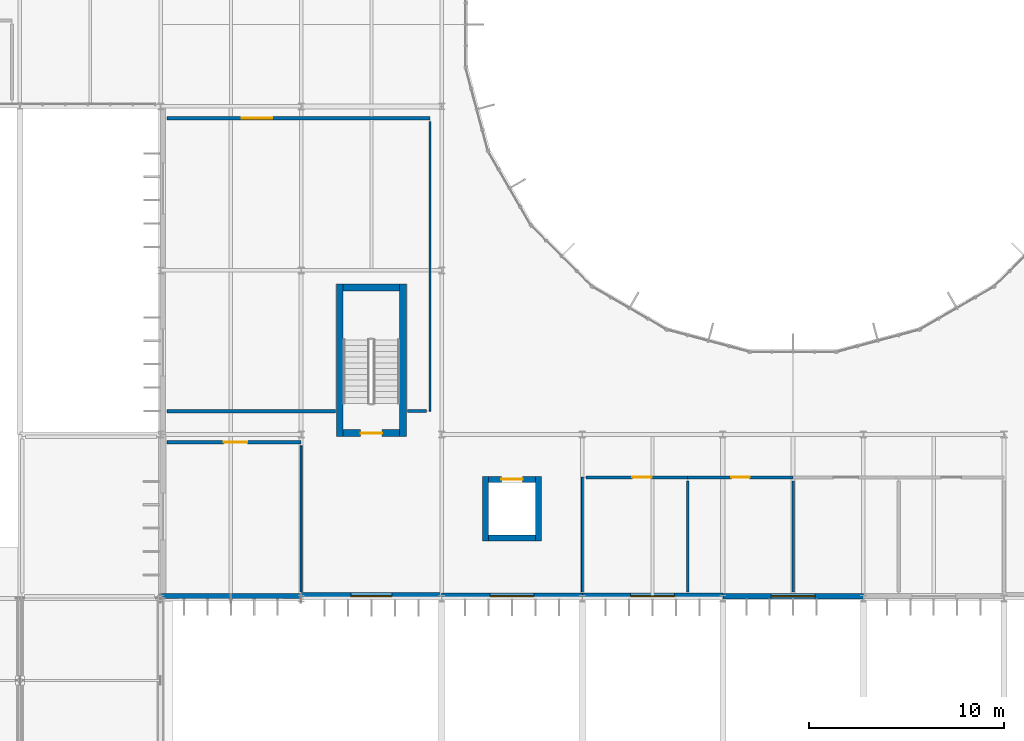
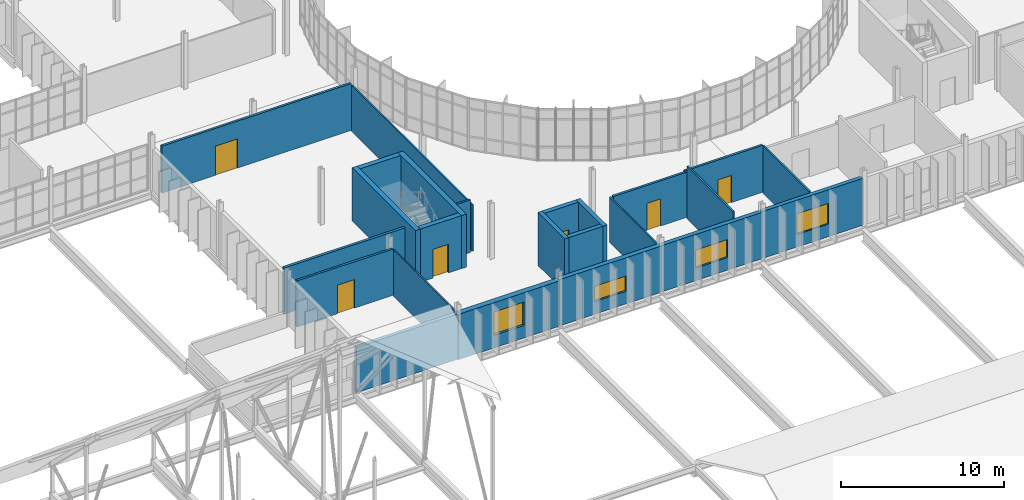
# One storey, part 78 of 99: 24 walls, 6 doors, 4 windows, 10 openings.
"""IFC4 building model written with IfcOpenShell, lengths in metres."""

import ifcopenshell
import ifcopenshell.guid

model = None  # the IFC model being written
_history = None  # IfcOwnerHistory: only IFC2X3 demands one
_inside = {}  # id of a spatial element -> (the spatial element, [elements in it])
_under = {}  # id of a project, library or spatial element -> (it, [spatial elements below it])
_declared = {}  # id of a project -> (the project, [libraries it declares])
_typed = {}  # id of a type object -> (the type object, [elements of that type])
_made_of = {}  # id of a material, layer set ... -> (it, [elements and type objects made of it])


def new_model(schema):
    """Start an empty IFC model of exactly this schema.

    Asked for "IFC4X3", IfcOpenShell would pick the latest addendum, in which some entities
    have other attributes; the version numbers below select the first issue.
    IFC2X3 requires an IfcOwnerHistory on every rooted entity: one is made here for all.
    """
    global model, _history
    if schema == "IFC4X3":
        model = ifcopenshell.file(schema_version=(4, 3, 0, 0))
    else:
        model = ifcopenshell.file(schema=schema)
    _inside.clear()
    _under.clear()
    _declared.clear()
    _typed.clear()
    _made_of.clear()
    _history = None
    if model.schema == "IFC2X3":
        org = make("IfcOrganization", Name="unknown")
        user = make(
            "IfcPersonAndOrganization",
            ThePerson=make("IfcPerson", FamilyName="unknown"),
            TheOrganization=org,
        )
        app = make(
            "IfcApplication",
            ApplicationDeveloper=org,
            Version="unknown",
            ApplicationFullName="unknown",
            ApplicationIdentifier="unknown",
        )
        _history = make(
            "IfcOwnerHistory",
            OwningUser=user,
            OwningApplication=app,
            ChangeAction="ADDED",
            CreationDate=0,
        )
    return model


def make(cls, **values):
    """One entity of the class cls with the attributes given. An attribute that is None is left unset."""
    return model.create_entity(
        cls, **{name: value for name, value in values.items() if value is not None}
    )


def rooted(cls, **values):
    """An entity with a GlobalId (a new one), such as an element, a storey or a relation."""
    return make(cls, GlobalId=ifcopenshell.guid.new(), OwnerHistory=_history, **values)


def si_unit(unit_type, name, prefix=None):
    """IfcSIUnit, for example si_unit("LENGTHUNIT", "METRE", prefix="MILLI")."""
    return make("IfcSIUnit", UnitType=unit_type, Prefix=prefix, Name=name)


def assignment(units):
    """IfcUnitAssignment: the units of a project."""
    return None if units is None else make("IfcUnitAssignment", Units=units)


def point(xyz):
    """IfcCartesianPoint."""
    return None if xyz is None else make("IfcCartesianPoint", Coordinates=xyz)


def direction(xyz):
    """IfcDirection."""
    return None if xyz is None else make("IfcDirection", DirectionRatios=xyz)


def frame(location, z_axis=None, x_axis=None):
    """IfcAxis2Placement3D, a coordinate frame: its origin and axes. An axis left out is left unset."""
    return make(
        "IfcAxis2Placement3D",
        Location=point(location),
        Axis=direction(z_axis),
        RefDirection=direction(x_axis),
    )


def frame_2d(location, x_axis=None):
    """IfcAxis2Placement2D, a coordinate frame in the plane: its origin and x axis."""
    return make(
        "IfcAxis2Placement2D", Location=point(location), RefDirection=direction(x_axis)
    )


def origin():
    """The frame at (0, 0, 0) with its axes left unset."""
    return frame((0.0, 0.0, 0.0))


def place(relative_to, where):
    """IfcLocalPlacement: puts the frame where relative to a parent placement (None: the world)."""
    return make(
        "IfcLocalPlacement", PlacementRelTo=relative_to, RelativePlacement=where
    )


def context(
    kind, dimensions, precision=None, world=None, true_north=None, identifier=None
):
    """IfcGeometricRepresentationContext, for example the 3D "Model" context."""
    return make(
        "IfcGeometricRepresentationContext",
        ContextIdentifier=identifier,
        ContextType=kind,
        CoordinateSpaceDimension=dimensions,
        Precision=precision,
        WorldCoordinateSystem=world,
        TrueNorth=true_north,
    )


def subcontext(parent, identifier, kind, view, scale=None):
    """IfcGeometricRepresentationSubContext, for example "Body" below "Model"."""
    return make(
        "IfcGeometricRepresentationSubContext",
        ContextIdentifier=identifier,
        ContextType=kind,
        ParentContext=parent,
        TargetScale=scale,
        TargetView=view,
    )


def project(units=None, contexts=None):
    """IfcProject with its units and contexts."""
    return rooted(
        "IfcProject",
        Name="project",
        RepresentationContexts=contexts,
        UnitsInContext=assignment(units),
    )


def spatial(cls, under=None, at=None, **own):
    """A site, building, storey or space (cls), placed at a placement, below another one or the project."""
    s = rooted(cls, ObjectPlacement=at, **own)
    if under is not None:
        _under.setdefault(under.id(), (under, []))[1].append(s)
    return s


def profile(cls, at=None, kind="AREA", **sizes):
    """A parametric profile (cls). Its sizes go by their IFC names, for example OverallWidth=200.0."""
    return make(cls, ProfileType=kind, Position=at, **sizes)


def rectangle(**sizes):
    """IfcRectangleProfileDef."""
    return profile("IfcRectangleProfileDef", **sizes)


def extrude(swept, where, along, depth):
    """IfcExtrudedAreaSolid: the profile swept, set in the frame where, extruded along a direction by depth."""
    return make(
        "IfcExtrudedAreaSolid",
        SweptArea=swept,
        Position=where,
        ExtrudedDirection=direction(along),
        Depth=depth,
    )


def shape(context_of_items, identifier, shape_type, items):
    """IfcShapeRepresentation: the items that make up one representation, for example the "Body"."""
    return make(
        "IfcShapeRepresentation",
        ContextOfItems=context_of_items,
        RepresentationIdentifier=identifier,
        RepresentationType=shape_type,
        Items=items,
    )


def material(Name=None, Category=None):
    """IfcMaterial."""
    return make("IfcMaterial", Name=Name, Category=Category)


def layer(
    of_material, thickness, ventilated=None, Name=None, Category=None, Priority=None
):
    """IfcMaterialLayer: one layer of a wall or slab, of a material (None: an air gap)."""
    return make(
        "IfcMaterialLayer",
        Material=of_material,
        LayerThickness=thickness,
        IsVentilated=ventilated,
        Name=Name,
        Category=Category,
        Priority=Priority,
    )


def layer_set(layers, Name=None):
    """IfcMaterialLayerSet."""
    return make("IfcMaterialLayerSet", MaterialLayers=layers, LayerSetName=Name)


def made_of(thing, what):
    """Note that an element or type object is made of a material, layer set ...; save() writes the relation."""
    if what is not None:
        _made_of.setdefault(what.id(), (what, []))[1].append(thing)
    return thing


def type_object(cls, material=None, **own):
    """A type object (cls), such as IfcWallType, which elements share."""
    return made_of(rooted(cls, **own), material)


def element(
    cls,
    number,
    at=None,
    inside=None,
    cuts=None,
    type_object=None,
    material=None,
    context=None,
    identifier="Body",
    shape_type=None,
    held_by="IfcProductDefinitionShape",
    body=None,
    shapes=None,
    **own,
):
    """One element of the class cls, such as IfcWall. Its Tag is "e" and its number.

    at: its placement. inside: the storey or other place that contains it. cuts: it is an
    opening in that element (IfcRelVoidsElement). A single representation is given by context,
    identifier, shape_type and body (its items); several are given by shapes. held_by: the class
    of the entity that holds the representations. save() writes the other relations.
    """
    e = rooted(cls, Tag="e%d" % number, ObjectPlacement=at, **own)
    if body is not None:
        shapes = [shape(context, identifier, shape_type, body)]
    if shapes is not None:
        e.Representation = make(held_by, Representations=shapes)
    if inside is not None:
        _inside.setdefault(inside.id(), (inside, []))[1].append(e)
    if cuts is not None:
        rooted(
            "IfcRelVoidsElement", RelatingBuildingElement=cuts, RelatedOpeningElement=e
        )
    if type_object is not None:
        _typed.setdefault(type_object.id(), (type_object, []))[1].append(e)
    return made_of(e, material)


def fill(opening, filler):
    """IfcRelFillsElement: the door or window that sits in an opening."""
    return rooted(
        "IfcRelFillsElement",
        RelatingOpeningElement=opening,
        RelatedBuildingElement=filler,
    )


def aggregate(whole, parts):
    """IfcRelAggregates: a whole, such as a stair, and the parts it consists of."""
    return rooted("IfcRelAggregates", RelatingObject=whole, RelatedObjects=parts)


def save(model, path):
    """Write the relations noted so far, then the file.

    IfcRelAggregates (storeys below a building ...), IfcRelContainedInSpatialStructure (elements
    in a storey), IfcRelDefinesByType, IfcRelAssociatesMaterial and IfcRelDeclares: one each for
    every whole, place, type object, material and project.
    """
    for whole, parts in _under.values():
        aggregate(whole, parts)
    for where, things in _inside.values():
        rooted(
            "IfcRelContainedInSpatialStructure",
            RelatedElements=things,
            RelatingStructure=where,
        )
    for kind, things in _typed.values():
        rooted("IfcRelDefinesByType", RelatedObjects=things, RelatingType=kind)
    for what, things in _made_of.values():
        rooted("IfcRelAssociatesMaterial", RelatedObjects=things, RelatingMaterial=what)
    for by, libraries in _declared.values():
        rooted("IfcRelDeclares", RelatingContext=by, RelatedDefinitions=libraries)
    model.write(path)


model = new_model("IFC4")

# Units and contexts
model_context = context("Model", 3, precision=1e-05, world=origin(), true_north=direction((0.0, 1.0)))
body_context = subcontext(model_context, "Body", "Model", "MODEL_VIEW")
ifc_project = project(units=[si_unit("LENGTHUNIT", "METRE"), si_unit("AREAUNIT", "SQUARE_METRE"), si_unit("VOLUMEUNIT", "CUBIC_METRE"), si_unit("PLANEANGLEUNIT", "RADIAN"), si_unit("MASSUNIT", "GRAM", prefix="KILO")], contexts=[model_context])

# Site, building, storey
site_placement = place(None, origin())
site = spatial("IfcSite", under=ifc_project, at=site_placement, CompositionType="ELEMENT")
building_placement = place(site_placement, origin())
building = spatial("IfcBuilding", under=site, at=building_placement, Name="Qelthora Terrace Specialist Clinic", CompositionType="ELEMENT")
storey_placement = place(building_placement, frame((0.0, 0.0, 9.0)))
storey = spatial("IfcBuildingStorey", under=building, at=storey_placement, Name="L02", CompositionType="ELEMENT", Elevation=9.0)

# Walls
ifc_material_1 = material(Name="Concrete C40/50", Category="concrete")
ifc_layer_1 = layer(ifc_material_1, 0.300048828125)
ifc_layer_set_1 = layer_set([ifc_layer_1], Name="Concrete C40/50")
wall_type_1 = type_object("IfcWallType", Name="WAL-CORE-300-C40", PredefinedType="SHEAR", material=ifc_layer_set_1)
for number, where, z_axis, x_axis, name in (
    (1, (110.25, 36.550048828125, 0.0), (0.0, 0.0, 1.0), (0.0, 1.0, 0.0), "Lift PL-01 L02 west shaft wall"),
    (2, (112.949951171875, 36.550048828125, 0.0), (0.0, 0.0, 1.0), (0.0, 1.0, 0.0), "Lift PL-01 L02 east shaft wall"),
):
    element("IfcWall", number, at=place(storey_placement, frame(where, z_axis=z_axis, x_axis=x_axis)), inside=storey, type_object=wall_type_1, Name=name, PredefinedType="SHEAR", context=body_context, shape_type="SweptSolid", body=[
        extrude(rectangle(XDim=3.300048828125, YDim=0.300048828125, at=frame_2d((1.64990234375, 0.0))), origin(), (0.0, 0.0, 1.0), 3.989990234375),
    ])

# Wall, opening, door
wall_1_placement = place(storey_placement, frame((110.39990234375, 39.699951171875, 0.0), z_axis=(0.0, 0.0, 1.0), x_axis=(1.0, 0.0, 0.0)))
wall_1 = element("IfcWall", 3, at=wall_1_placement, inside=storey, type_object=wall_type_1, Name="Lift PL-01 L02 north shaft wall", PredefinedType="SHEAR", context=body_context, shape_type="SweptSolid", body=[
    extrude(rectangle(XDim=2.400146484375, YDim=0.300048828125, at=frame_2d((1.2001953125, 0.0))), origin(), (0.0, 0.0, 1.0), 3.989990234375),
])
opening_1_placement = place(wall_1_placement, frame((0.64990234375, 0.0, 0.0)))
opening_1 = element("IfcOpeningElement", 4, at=opening_1_placement, cuts=wall_1, Name="Opening LD-PL-01-L02", PredefinedType="OPENING", context=body_context, shape_type="SweptSolid", body=[
    extrude(rectangle(XDim=1.10009765625, YDim=2.14990234375, at=frame_2d((0.550048828125, 1.074951171875))), frame((0.0, 0.159912109375, 0.0), z_axis=(0.0, -1.0, 0.0), x_axis=(1.0, 0.0, 0.0)), (0.0, 0.0, 1.0), 0.320068359375),
])
ifc_material_2 = material(Name="Steel S355", Category="steel")
door_type_1 = type_object("IfcDoorType", Name="DOR-LIFT-1100X2150", OperationType="NOTDEFINED", PredefinedType="DOOR", material=ifc_material_2)
door_1_placement = place(opening_1_placement, origin())
door_1 = element("IfcDoor", 5, at=door_1_placement, inside=storey, type_object=door_type_1, Name="Lift landing sliding door LD-PL-01-L02", OperationType="DOUBLE_DOOR_SLIDING", OverallHeight=2.14990234375, OverallWidth=1.10009765625, PredefinedType="DOOR", context=body_context, shape_type="SweptSolid", body=[
    extrude(rectangle(XDim=1.10009765625, YDim=2.14990234375, at=frame_2d((0.550048828125, 1.074951171875))), frame((0.0, 0.02490234375, 0.0), z_axis=(0.0, -1.0, 0.0), x_axis=(1.0, 0.0, 0.0)), (0.0, 0.0, 1.0), 0.050048828125),
])
fill(opening_1, door_1)

# Walls
wall_2_placement = place(storey_placement, frame((110.39990234375, 36.699951171875, 0.0), z_axis=(0.0, 0.0, 1.0), x_axis=(1.0, 0.0, 0.0)))
element("IfcWall", 6, at=wall_2_placement, inside=storey, type_object=wall_type_1, Name="Lift PL-01 L02 south shaft wall", PredefinedType="SHEAR", context=body_context, shape_type="SweptSolid", body=[
    extrude(rectangle(XDim=2.400146484375, YDim=0.300048828125, at=frame_2d((1.2001953125, 0.0))), origin(), (0.0, 0.0, 1.0), 3.989990234375),
])
ifc_layer_2 = layer(ifc_material_1, 0.35009765625)
ifc_layer_set_2 = layer_set([ifc_layer_2], Name="Concrete C40/50")
wall_type_2 = type_object("IfcWallType", Name="WAL-CORE-350-C40", PredefinedType="SHEAR", material=ifc_layer_set_2)
for number, where, z_axis, x_axis, name in (
    (7, (102.77490234375, 41.89990234375, 0.0), (0.0, 0.0, 1.0), (0.0, 1.0, 0.0), "ST-05 L02 west shear core wall"),
    (8, (106.02490234375, 41.89990234375, 0.0), (0.0, 0.0, 1.0), (0.0, 1.0, 0.0), "ST-05 L02 east shear core wall"),
):
    element("IfcWall", number, at=place(storey_placement, frame(where, z_axis=z_axis, x_axis=x_axis)), inside=storey, type_object=wall_type_2, Name=name, PredefinedType="SHEAR", context=body_context, shape_type="SweptSolid", body=[
        extrude(rectangle(XDim=7.800048828125, YDim=0.35009765625, at=frame_2d((3.89990234375, 0.0))), origin(), (0.0, 0.0, 1.0), 3.989990234375),
    ])
wall_3_placement = place(storey_placement, frame((102.949951171875, 49.52490234375, 0.0), z_axis=(0.0, 0.0, 1.0), x_axis=(1.0, 0.0, 0.0)))
element("IfcWall", 9, at=wall_3_placement, inside=storey, type_object=wall_type_2, Name="ST-05 L02 north shear core wall", PredefinedType="SHEAR", context=body_context, shape_type="SweptSolid", body=[
    extrude(rectangle(XDim=2.900146484375, YDim=0.35009765625, at=frame_2d((1.4501953125, 0.0))), origin(), (0.0, 0.0, 1.0), 3.989990234375),
])

# Wall, opening, door
wall_4_placement = place(storey_placement, frame((102.949951171875, 42.074951171875, 0.0), z_axis=(0.0, 0.0, 1.0), x_axis=(1.0, 0.0, 0.0)))
wall_4 = element("IfcWall", 10, at=wall_4_placement, inside=storey, type_object=wall_type_2, Name="ST-05 L02 south shear core wall", PredefinedType="SHEAR", context=body_context, shape_type="SweptSolid", body=[
    extrude(rectangle(XDim=2.900146484375, YDim=0.35009765625, at=frame_2d((1.4501953125, 0.0))), origin(), (0.0, 0.0, 1.0), 3.989990234375),
])
opening_2_placement = place(wall_4_placement, frame((0.89990234375, 0.0, 0.0)))
opening_2 = element("IfcOpeningElement", 11, at=opening_2_placement, cuts=wall_4, Name="Opening D-ST-05-L02", PredefinedType="OPENING", context=body_context, shape_type="SweptSolid", body=[
    extrude(rectangle(XDim=1.10009765625, YDim=2.14990234375, at=frame_2d((0.550048828125, 1.074951171875))), frame((0.0, 0.18505859375, 0.0), z_axis=(0.0, -1.0, 0.0), x_axis=(1.0, 0.0, 0.0)), (0.0, 0.0, 1.0), 0.3701171875),
])
door_type_2 = type_object("IfcDoorType", Name="DOR-STAIR-1100X2150", OperationType="NOTDEFINED", PredefinedType="DOOR", material=ifc_material_2)
door_2_placement = place(opening_2_placement, origin())
door_2 = element("IfcDoor", 12, at=door_2_placement, inside=storey, type_object=door_type_2, Name="Stair fire door D-ST-05-L02", OperationType="SINGLE_SWING_RIGHT", OverallHeight=2.14990234375, OverallWidth=1.10009765625, PredefinedType="DOOR", context=body_context, shape_type="SweptSolid", body=[
    extrude(rectangle(XDim=1.10009765625, YDim=2.14990234375, at=frame_2d((0.550048828125, 1.074951171875))), frame((0.0, 0.02490234375, 0.0), z_axis=(0.0, -1.0, 0.0), x_axis=(1.0, 0.0, 0.0)), (0.0, 0.0, 1.0), 0.050048828125),
])
fill(opening_2, door_2)

# Wall
ifc_material_3 = material(Name="Precast concrete C40/50", Category="concrete")
ifc_layer_3 = layer(ifc_material_3, 0.260009765625)
ifc_layer_set_3 = layer_set([ifc_layer_3], Name="Precast concrete C40/50")
wall_type_3 = type_object("IfcWallType", Name="WAL-EXT-260-PC40", PredefinedType="SOLIDWALL", material=ifc_layer_set_3)
wall_5_placement = place(storey_placement, frame((93.60009765625, 33.719970703125, 0.0), z_axis=(0.0, 0.0, 1.0), x_axis=(1.0, 0.0, 0.0)))
element("IfcWall", 13, at=wall_5_placement, inside=storey, type_object=wall_type_3, Name="L02 external precast wall 259", PredefinedType="SOLIDWALL", context=body_context, shape_type="SweptSolid", body=[
    extrude(rectangle(XDim=7.199951171875, YDim=0.260009765625, at=frame_2d((3.60009765625, 0.0))), origin(), (0.0, 0.0, 1.0), 3.405029296875),
])

# Wall, opening, window
ifc_layer_4 = layer(ifc_material_3, 0.280029296875)
ifc_layer_set_4 = layer_set([ifc_layer_4], Name="Precast concrete C40/50")
wall_type_4 = type_object("IfcWallType", Name="WAL-EXT-280-PC40", PredefinedType="SOLIDWALL", material=ifc_layer_set_4)
wall_6_placement = place(storey_placement, frame((122.39990234375, 33.719970703125, 0.0), z_axis=(0.0, 0.0, 1.0), x_axis=(1.0, 0.0, 0.0)))
wall_6 = element("IfcWall", 14, at=wall_6_placement, inside=storey, type_object=wall_type_4, Name="L02 external precast wall 263", PredefinedType="SOLIDWALL", context=body_context, shape_type="SweptSolid", body=[
    extrude(rectangle(XDim=7.2001953125, YDim=0.280029296875, at=frame_2d((3.60009765625, 0.0))), origin(), (0.0, 0.0, 1.0), 3.529052734375),
])
opening_3_placement = place(wall_6_placement, frame((2.47509765625, 0.0, 0.949951171875)))
opening_3 = element("IfcOpeningElement", 15, at=opening_3_placement, cuts=wall_6, Name="Opening WN-L02-227", PredefinedType="OPENING", context=body_context, shape_type="SweptSolid", body=[
    extrude(rectangle(XDim=2.25, YDim=1.550048828125, at=frame_2d((1.125, 0.77490234375))), frame((0.0, 0.14990234375, 0.0), z_axis=(0.0, -1.0, 0.0), x_axis=(1.0, 0.0, 0.0)), (0.0, 0.0, 1.0), 0.300048828125),
])
ifc_material_4 = material(Name="Low-E triple-silver insulating glass", Category="glass")
window_type_1 = type_object("IfcWindowType", Name="WIN-2250X1550", PartitioningType="DOUBLE_PANEL_VERTICAL", PredefinedType="WINDOW", material=ifc_material_4)
window_1_placement = place(opening_3_placement, origin())
window_1 = element("IfcWindow", 16, at=window_1_placement, inside=storey, type_object=window_type_1, Name="Clinical window WN-L02-227", OverallHeight=1.550048828125, OverallWidth=2.25, PartitioningType="SINGLE_PANEL", PredefinedType="WINDOW", context=body_context, shape_type="SweptSolid", body=[
    extrude(rectangle(XDim=2.25, YDim=1.550048828125, at=frame_2d((1.125, 0.77490234375))), frame((0.0, 0.030029296875, 0.0), z_axis=(0.0, -1.0, 0.0), x_axis=(1.0, 0.0, 0.0)), (0.0, 0.0, 1.0), 0.06005859375),
])
fill(opening_3, window_1)

ifc_layer_5 = layer(ifc_material_3, 0.300048828125)
ifc_layer_set_5 = layer_set([ifc_layer_5], Name="Precast concrete C40/50")
wall_type_5 = type_object("IfcWallType", Name="WAL-EXT-300-PC40", PredefinedType="SOLIDWALL", material=ifc_layer_set_5)
wall_7_placement = place(storey_placement, frame((115.199951171875, 33.719970703125, 0.0), z_axis=(0.0, 0.0, 1.0), x_axis=(1.0, 0.0, 0.0)))
wall_7 = element("IfcWall", 17, at=wall_7_placement, inside=storey, type_object=wall_type_5, Name="L02 external precast wall 262", PredefinedType="SOLIDWALL", context=body_context, shape_type="SweptSolid", body=[
    extrude(rectangle(XDim=7.199951171875, YDim=0.300048828125, at=frame_2d((3.60009765625, 0.0))), origin(), (0.0, 0.0, 1.0), 3.48193359375),
])
opening_4_placement = place(wall_7_placement, frame((2.47509765625, 0.0, 0.949951171875)))
opening_4 = element("IfcOpeningElement", 18, at=opening_4_placement, cuts=wall_7, Name="Opening WN-L02-226", PredefinedType="OPENING", context=body_context, shape_type="SweptSolid", body=[
    extrude(rectangle(XDim=2.25, YDim=1.35009765625, at=frame_2d((1.125, 0.675048828125))), frame((0.0, 0.159912109375, 0.0), z_axis=(0.0, -1.0, 0.0), x_axis=(1.0, 0.0, 0.0)), (0.0, 0.0, 1.0), 0.320068359375),
])
window_type_2 = type_object("IfcWindowType", Name="WIN-2250X1350", PartitioningType="DOUBLE_PANEL_VERTICAL", PredefinedType="WINDOW", material=ifc_material_4)
window_2_placement = place(opening_4_placement, origin())
window_2 = element("IfcWindow", 19, at=window_2_placement, inside=storey, type_object=window_type_2, Name="Clinical window WN-L02-226", OverallHeight=1.35009765625, OverallWidth=2.25, PartitioningType="SINGLE_PANEL", PredefinedType="WINDOW", context=body_context, shape_type="SweptSolid", body=[
    extrude(rectangle(XDim=2.25, YDim=1.35009765625, at=frame_2d((1.125, 0.675048828125))), frame((0.0, 0.030029296875, 0.0), z_axis=(0.0, -1.0, 0.0), x_axis=(1.0, 0.0, 0.0)), (0.0, 0.0, 1.0), 0.06005859375),
])
fill(opening_4, window_2)

ifc_layer_6 = layer(ifc_material_3, 0.320068359375)
ifc_layer_set_6 = layer_set([ifc_layer_6], Name="Precast concrete C40/50")
wall_type_6 = type_object("IfcWallType", Name="WAL-EXT-320-PC40", PredefinedType="SOLIDWALL", material=ifc_layer_set_6)
wall_8_placement = place(storey_placement, frame((108.0, 33.719970703125, 0.0), z_axis=(0.0, 0.0, 1.0), x_axis=(1.0, 0.0, 0.0)))
wall_8 = element("IfcWall", 20, at=wall_8_placement, inside=storey, type_object=wall_type_6, Name="L02 external precast wall 261", PredefinedType="SOLIDWALL", context=body_context, shape_type="SweptSolid", body=[
    extrude(rectangle(XDim=7.199951171875, YDim=0.320068359375, at=frame_2d((3.60009765625, 0.0))), origin(), (0.0, 0.0, 1.0), 3.47607421875),
])
opening_5_placement = place(wall_8_placement, frame((2.47509765625, 0.0, 0.949951171875)))
opening_5 = element("IfcOpeningElement", 21, at=opening_5_placement, cuts=wall_8, Name="Opening WN-L02-225", PredefinedType="OPENING", context=body_context, shape_type="SweptSolid", body=[
    extrude(rectangle(XDim=2.25, YDim=1.14990234375, at=frame_2d((1.125, 0.574951171875))), frame((0.0, 0.169921875, 0.0), z_axis=(0.0, -1.0, 0.0), x_axis=(1.0, 0.0, 0.0)), (0.0, 0.0, 1.0), 0.340087890625),
])
window_type_3 = type_object("IfcWindowType", Name="WIN-2250X1150", PartitioningType="DOUBLE_PANEL_VERTICAL", PredefinedType="WINDOW", material=ifc_material_4)
window_3_placement = place(opening_5_placement, origin())
window_3 = element("IfcWindow", 22, at=window_3_placement, inside=storey, type_object=window_type_3, Name="Clinical window WN-L02-225", OverallHeight=1.14990234375, OverallWidth=2.25, PartitioningType="SINGLE_PANEL", PredefinedType="WINDOW", context=body_context, shape_type="SweptSolid", body=[
    extrude(rectangle(XDim=2.25, YDim=1.14990234375, at=frame_2d((1.125, 0.574951171875))), frame((0.0, 0.030029296875, 0.0), z_axis=(0.0, -1.0, 0.0), x_axis=(1.0, 0.0, 0.0)), (0.0, 0.0, 1.0), 0.06005859375),
])
fill(opening_5, window_3)

ifc_layer_7 = layer(ifc_material_3, 0.3798828125)
ifc_layer_set_7 = layer_set([ifc_layer_7], Name="Precast concrete C40/50")
wall_type_7 = type_object("IfcWallType", Name="WAL-EXT-380-PC40", PredefinedType="SOLIDWALL", material=ifc_layer_set_7)
wall_9_placement = place(storey_placement, frame((100.800048828125, 33.719970703125, 0.0), z_axis=(0.0, 0.0, 1.0), x_axis=(1.0, 0.0, 0.0)))
wall_9 = element("IfcWall", 23, at=wall_9_placement, inside=storey, type_object=wall_type_7, Name="L02 external precast wall 260", PredefinedType="SOLIDWALL", context=body_context, shape_type="SweptSolid", body=[
    extrude(rectangle(XDim=7.199951171875, YDim=0.3798828125, at=frame_2d((3.60009765625, 0.0))), origin(), (0.0, 0.0, 1.0), 3.405029296875),
])
opening_6_placement = place(wall_9_placement, frame((2.550048828125, 0.0, 0.949951171875)))
opening_6 = element("IfcOpeningElement", 24, at=opening_6_placement, cuts=wall_9, Name="Opening WN-L02-224", PredefinedType="OPENING", context=body_context, shape_type="SweptSolid", body=[
    extrude(rectangle(XDim=2.10009765625, YDim=1.75, at=frame_2d((1.050048828125, 0.875))), frame((0.0, 0.199951171875, 0.0), z_axis=(0.0, -1.0, 0.0), x_axis=(1.0, 0.0, 0.0)), (0.0, 0.0, 1.0), 0.39990234375),
])
window_type_4 = type_object("IfcWindowType", Name="WIN-2100X1750", PartitioningType="DOUBLE_PANEL_VERTICAL", PredefinedType="WINDOW", material=ifc_material_4)
window_4_placement = place(opening_6_placement, origin())
window_4 = element("IfcWindow", 25, at=window_4_placement, inside=storey, type_object=window_type_4, Name="Clinical window WN-L02-224", OverallHeight=1.75, OverallWidth=2.10009765625, PartitioningType="SINGLE_PANEL", PredefinedType="WINDOW", context=body_context, shape_type="SweptSolid", body=[
    extrude(rectangle(XDim=2.10009765625, YDim=1.75, at=frame_2d((1.050048828125, 0.875))), frame((0.0, 0.030029296875, 0.0), z_axis=(0.0, -1.0, 0.0), x_axis=(1.0, 0.0, 0.0)), (0.0, 0.0, 1.0), 0.06005859375),
])
fill(opening_6, window_4)

# Walls
ifc_material_5 = material(Name="Gypsum acoustic wallboard", Category="gypsum")
ifc_layer_8 = layer(ifc_material_5, 0.139892578125)
ifc_layer_set_8 = layer_set([ifc_layer_8], Name="Gypsum acoustic wallboard")
wall_type_8 = type_object("IfcWallType", Name="WAL-INT-ACU-140", PredefinedType="PARTITIONING", material=ifc_layer_set_8)
wall_10_placement = place(storey_placement, frame((107.219970703125, 43.199951171875, 0.0), z_axis=(0.0, 0.0, 1.0), x_axis=(-1.0, 0.0, 0.0)))
element("IfcWall", 26, at=wall_10_placement, inside=storey, type_object=wall_type_8, Name="Interior clinical partition IWAL-L02-0284", PredefinedType="PARTITIONING", context=body_context, shape_type="SweptSolid", body=[
    extrude(rectangle(XDim=0.974853515625, YDim=0.139892578125, at=frame_2d((0.4873046875, 0.0))), origin(), (0.0, 0.0, 1.0), 3.945068359375),
])
ifc_material_6 = material(Name="Gypsum fire-rated wallboard", Category="gypsum")
ifc_layer_9 = layer(ifc_material_6, 0.179931640625)
ifc_layer_set_9 = layer_set([ifc_layer_9], Name="Gypsum fire-rated wallboard")
wall_type_9 = type_object("IfcWallType", Name="WAL-INT-CLN-180", PredefinedType="PARTITIONING", material=ifc_layer_set_9)
wall_11_placement = place(storey_placement, frame((102.554931640625, 43.199951171875, 0.0), z_axis=(0.0, 0.0, 1.0), x_axis=(-1.0, 0.0, 0.0)))
element("IfcWall", 27, at=wall_11_placement, inside=storey, type_object=wall_type_9, Name="Interior clinical partition IWAL-L02-0281", PredefinedType="PARTITIONING", context=body_context, shape_type="SweptSolid", body=[
    extrude(rectangle(XDim=8.614990234375, YDim=0.179931640625, at=frame_2d((4.3076171875, 0.0))), origin(), (0.0, 0.0, 1.0), 3.485107421875),
])

# Wall, opening, door
ifc_layer_10 = layer(ifc_material_6, 0.159912109375)
ifc_layer_set_10 = layer_set([ifc_layer_10], Name="Gypsum fire-rated wallboard")
wall_type_10 = type_object("IfcWallType", Name="WAL-INT-COR-160", PredefinedType="PARTITIONING", material=ifc_layer_set_10)
wall_12_placement = place(storey_placement, frame((115.3798828125, 39.800048828125, 0.0), z_axis=(0.0, 0.0, 1.0), x_axis=(1.0, 0.0, 0.0)))
wall_12 = element("IfcWall", 28, at=wall_12_placement, inside=storey, type_object=wall_type_10, Name="Interior clinical partition IWAL-L02-0252", PredefinedType="PARTITIONING", context=body_context, shape_type="SweptSolid", body=[
    extrude(rectangle(XDim=5.22021484375, YDim=0.159912109375, at=frame_2d((2.610107421875, 0.0))), origin(), (0.0, 0.0, 1.0), 3.40087890625),
])
opening_7_placement = place(wall_12_placement, frame((2.389892578125, 0.0, 0.0)))
opening_7 = element("IfcOpeningElement", 29, at=opening_7_placement, cuts=wall_12, Name="Opening DI-L02-0101", PredefinedType="OPENING", context=body_context, shape_type="SweptSolid", body=[
    extrude(rectangle(XDim=0.97998046875, YDim=2.050048828125, at=frame_2d((0.489990234375, 1.02490234375))), frame((0.0, 0.08984375, 0.0), z_axis=(0.0, -1.0, 0.0), x_axis=(1.0, 0.0, 0.0)), (0.0, 0.0, 1.0), 0.179931640625),
])
ifc_material_7 = material(Name="Glulam timber GL28h", Category="wood")
door_type_3 = type_object("IfcDoorType", Name="DOR-CON-980X2050", OperationType="NOTDEFINED", PredefinedType="DOOR", material=ifc_material_7)
door_3_placement = place(opening_7_placement, frame((0.97998046875, 0.0, 0.0), z_axis=(0.0, 0.0, 1.0), x_axis=(-1.0, 0.0, 0.0)))
door_3 = element("IfcDoor", 30, at=door_3_placement, inside=storey, type_object=door_type_3, Name="Interior clinical door DI-L02-0101", OperationType="SINGLE_SWING_RIGHT", OverallHeight=2.050048828125, OverallWidth=0.97998046875, PredefinedType="DOOR", context=body_context, shape_type="SweptSolid", body=[
    extrude(rectangle(XDim=0.97998046875, YDim=2.050048828125, at=frame_2d((0.489990234375, 1.02490234375))), frame((0.0, 0.02490234375, 0.0), z_axis=(0.0, -1.0, 0.0), x_axis=(1.0, 0.0, 0.0)), (0.0, 0.0, 1.0), 0.050048828125),
])
fill(opening_7, door_3)

wall_13_placement = place(storey_placement, frame((120.465087890625, 39.800048828125, 0.0), z_axis=(0.0, 0.0, 1.0), x_axis=(1.0, 0.0, 0.0)))
wall_13 = element("IfcWall", 31, at=wall_13_placement, inside=storey, type_object=wall_type_10, Name="Interior clinical partition IWAL-L02-0254", PredefinedType="PARTITIONING", context=body_context, shape_type="SweptSolid", body=[
    extrude(rectangle(XDim=5.534912109375, YDim=0.159912109375, at=frame_2d((2.767578125, 0.0))), origin(), (0.0, 0.0, 1.0), 3.531982421875),
])
opening_8_placement = place(wall_13_placement, frame((2.367431640625, 0.0, 0.0)))
opening_8 = element("IfcOpeningElement", 32, at=opening_8_placement, cuts=wall_13, Name="Opening DI-L02-0102", PredefinedType="OPENING", context=body_context, shape_type="SweptSolid", body=[
    extrude(rectangle(XDim=0.93994140625, YDim=2.050048828125, at=frame_2d((0.469970703125, 1.02490234375))), frame((0.0, 0.08984375, 0.0), z_axis=(0.0, -1.0, 0.0), x_axis=(1.0, 0.0, 0.0)), (0.0, 0.0, 1.0), 0.179931640625),
])
door_type_4 = type_object("IfcDoorType", Name="DOR-CON-940X2050", OperationType="NOTDEFINED", PredefinedType="DOOR", material=ifc_material_7)
door_4_placement = place(opening_8_placement, frame((0.93994140625, 0.0, 0.0), z_axis=(0.0, 0.0, 1.0), x_axis=(-1.0, 0.0, 0.0)))
door_4 = element("IfcDoor", 33, at=door_4_placement, inside=storey, type_object=door_type_4, Name="Interior clinical door DI-L02-0102", OperationType="SINGLE_SWING_LEFT", OverallHeight=2.050048828125, OverallWidth=0.93994140625, PredefinedType="DOOR", context=body_context, shape_type="SweptSolid", body=[
    extrude(rectangle(XDim=0.93994140625, YDim=2.050048828125, at=frame_2d((0.469970703125, 1.02490234375))), frame((0.0, 0.02490234375, 0.0), z_axis=(0.0, -1.0, 0.0), x_axis=(1.0, 0.0, 0.0)), (0.0, 0.0, 1.0), 0.050048828125),
])
fill(opening_8, door_4)

wall_14_placement = place(storey_placement, frame((93.93994140625, 41.60009765625, 0.0), z_axis=(0.0, 0.0, 1.0), x_axis=(1.0, 0.0, 0.0)))
wall_14 = element("IfcWall", 34, at=wall_14_placement, inside=storey, type_object=wall_type_10, Name="Interior clinical partition IWAL-L02-0260", PredefinedType="PARTITIONING", context=body_context, shape_type="SweptSolid", body=[
    extrude(rectangle(XDim=6.860107421875, YDim=0.159912109375, at=frame_2d((3.43017578125, 0.0))), origin(), (0.0, 0.0, 1.0), 3.47900390625),
])
opening_9_placement = place(wall_14_placement, frame((2.89990234375, 0.0, 0.0)))
opening_9 = element("IfcOpeningElement", 35, at=opening_9_placement, cuts=wall_14, Name="Opening DI-L02-0105", PredefinedType="OPENING", context=body_context, shape_type="SweptSolid", body=[
    extrude(rectangle(XDim=1.199951171875, YDim=2.14990234375, at=frame_2d((0.60009765625, 1.074951171875))), frame((0.0, 0.08984375, 0.0), z_axis=(0.0, -1.0, 0.0), x_axis=(1.0, 0.0, 0.0)), (0.0, 0.0, 1.0), 0.179931640625),
])
door_type_5 = type_object("IfcDoorType", Name="DOR-LAB-1200X2150", OperationType="NOTDEFINED", PredefinedType="DOOR", material=ifc_material_2)
door_5_placement = place(opening_9_placement, frame((1.199951171875, 0.0, 0.0), z_axis=(0.0, 0.0, 1.0), x_axis=(-1.0, 0.0, 0.0)))
door_5 = element("IfcDoor", 36, at=door_5_placement, inside=storey, type_object=door_type_5, Name="Interior clinical door DI-L02-0105", OperationType="SINGLE_SWING_RIGHT", OverallHeight=2.14990234375, OverallWidth=1.199951171875, PredefinedType="DOOR", context=body_context, shape_type="SweptSolid", body=[
    extrude(rectangle(XDim=1.199951171875, YDim=2.14990234375, at=frame_2d((0.60009765625, 1.074951171875))), frame((0.0, 0.02490234375, 0.0), z_axis=(0.0, -1.0, 0.0), x_axis=(1.0, 0.0, 0.0)), (0.0, 0.0, 1.0), 0.050048828125),
])
fill(opening_9, door_5)

wall_15_placement = place(storey_placement, frame((93.93994140625, 58.199951171875, 0.0), z_axis=(0.0, 0.0, 1.0), x_axis=(1.0, 0.0, 0.0)))
wall_15 = element("IfcWall", 37, at=wall_15_placement, inside=storey, type_object=wall_type_10, Name="Interior clinical partition IWAL-L02-0282", PredefinedType="PARTITIONING", context=body_context, shape_type="SweptSolid", body=[
    extrude(rectangle(XDim=13.4599609375, YDim=0.159912109375, at=frame_2d((6.72998046875, 0.0))), origin(), (0.0, 0.0, 1.0), 3.531982421875),
])
opening_10_placement = place(wall_15_placement, frame((3.824951171875, 0.0, 0.0)))
opening_10 = element("IfcOpeningElement", 38, at=opening_10_placement, cuts=wall_15, Name="Opening DI-L02-0113", PredefinedType="OPENING", context=body_context, shape_type="SweptSolid", body=[
    extrude(rectangle(XDim=1.550048828125, YDim=2.199951171875, at=frame_2d((0.77490234375, 1.10009765625))), frame((0.0, 0.08984375, 0.0), z_axis=(0.0, -1.0, 0.0), x_axis=(1.0, 0.0, 0.0)), (0.0, 0.0, 1.0), 0.179931640625),
])
ifc_material_8 = material(Name="Aluminium anodized bronze", Category="aluminium")
door_type_6 = type_object("IfcDoorType", Name="DOR-LIB-1550X2200", OperationType="NOTDEFINED", PredefinedType="DOOR", material=ifc_material_8)
door_6_placement = place(opening_10_placement, frame((1.550048828125, 0.0, 0.0), z_axis=(0.0, 0.0, 1.0), x_axis=(-1.0, 0.0, 0.0)))
door_6 = element("IfcDoor", 39, at=door_6_placement, inside=storey, type_object=door_type_6, Name="Interior clinical door DI-L02-0113", OperationType="DOUBLE_DOOR_SINGLE_SWING", OverallHeight=2.199951171875, OverallWidth=1.550048828125, PredefinedType="DOOR", context=body_context, shape_type="SweptSolid", body=[
    extrude(rectangle(XDim=1.550048828125, YDim=2.199951171875, at=frame_2d((0.77490234375, 1.10009765625))), frame((0.0, 0.02490234375, 0.0), z_axis=(0.0, -1.0, 0.0), x_axis=(1.0, 0.0, 0.0)), (0.0, 0.0, 1.0), 0.050048828125),
])
fill(opening_10, door_6)

# Walls
ifc_layer_11 = layer(ifc_material_5, 0.10009765625)
ifc_layer_set_11 = layer_set([ifc_layer_11], Name="Gypsum acoustic wallboard")
wall_type_11 = type_object("IfcWallType", Name="WAL-INT-LGT-100", PredefinedType="PARTITIONING", material=ifc_layer_set_11)
wall_16_placement = place(storey_placement, frame((115.199951171875, 33.93994140625, 0.0), z_axis=(0.0, 0.0, 1.0), x_axis=(0.0, 1.0, 0.0)))
element("IfcWall", 40, at=wall_16_placement, inside=storey, type_object=wall_type_11, Name="Interior clinical partition IWAL-L02-0251", PredefinedType="PARTITIONING", context=body_context, shape_type="SweptSolid", body=[
    extrude(rectangle(XDim=5.860107421875, YDim=0.10009765625, at=frame_2d((2.93017578125, 0.0))), origin(), (0.0, 0.0, 1.0), 3.40087890625),
])
wall_17_placement = place(storey_placement, frame((100.800048828125, 41.419921875, 0.0), z_axis=(0.0, 0.0, 1.0), x_axis=(0.0, -1.0, 0.0)))
element("IfcWall", 41, at=wall_17_placement, inside=storey, type_object=wall_type_11, Name="Interior clinical partition IWAL-L02-0261", PredefinedType="PARTITIONING", context=body_context, shape_type="SweptSolid", body=[
    extrude(rectangle(XDim=7.47998046875, YDim=0.10009765625, at=frame_2d((3.739990234375, 0.0))), origin(), (0.0, 0.0, 1.0), 3.47900390625),
])
wall_18_placement = place(storey_placement, frame((107.39990234375, 58.02001953125, 0.0), z_axis=(0.0, 0.0, 1.0), x_axis=(0.0, -1.0, 0.0)))
element("IfcWall", 42, at=wall_18_placement, inside=storey, type_object=wall_type_11, Name="Interior clinical partition IWAL-L02-0283", PredefinedType="PARTITIONING", context=body_context, shape_type="SweptSolid", body=[
    extrude(rectangle(XDim=14.820068359375, YDim=0.10009765625, at=frame_2d((7.41015625, 0.0))), origin(), (0.0, 0.0, 1.0), 3.47900390625),
])
ifc_layer_12 = layer(ifc_material_5, 0.1201171875)
ifc_layer_set_12 = layer_set([ifc_layer_12], Name="Gypsum acoustic wallboard")
wall_type_12 = type_object("IfcWallType", Name="WAL-INT-STD-120", PredefinedType="PARTITIONING", material=ifc_layer_set_12)
wall_19_placement = place(storey_placement, frame((120.60009765625, 39.6201171875, 0.0), z_axis=(0.0, 0.0, 1.0), x_axis=(0.0, -1.0, 0.0)))
element("IfcWall", 43, at=wall_19_placement, inside=storey, type_object=wall_type_12, Name="Interior clinical partition IWAL-L02-0253", PredefinedType="PARTITIONING", context=body_context, shape_type="SweptSolid", body=[
    extrude(rectangle(XDim=5.68017578125, YDim=0.1201171875, at=frame_2d((2.840087890625, 0.0))), origin(), (0.0, 0.0, 1.0), 3.945068359375),
])
wall_20_placement = place(storey_placement, frame((126.0, 39.6201171875, 0.0), z_axis=(0.0, 0.0, 1.0), x_axis=(0.0, -1.0, 0.0)))
element("IfcWall", 44, at=wall_20_placement, inside=storey, type_object=wall_type_12, Name="Interior clinical partition IWAL-L02-0255", PredefinedType="PARTITIONING", context=body_context, shape_type="SweptSolid", body=[
    extrude(rectangle(XDim=5.68017578125, YDim=0.1201171875, at=frame_2d((2.840087890625, 0.0))), origin(), (0.0, 0.0, 1.0), 3.5869140625),
])

save(model, "model.ifc")
